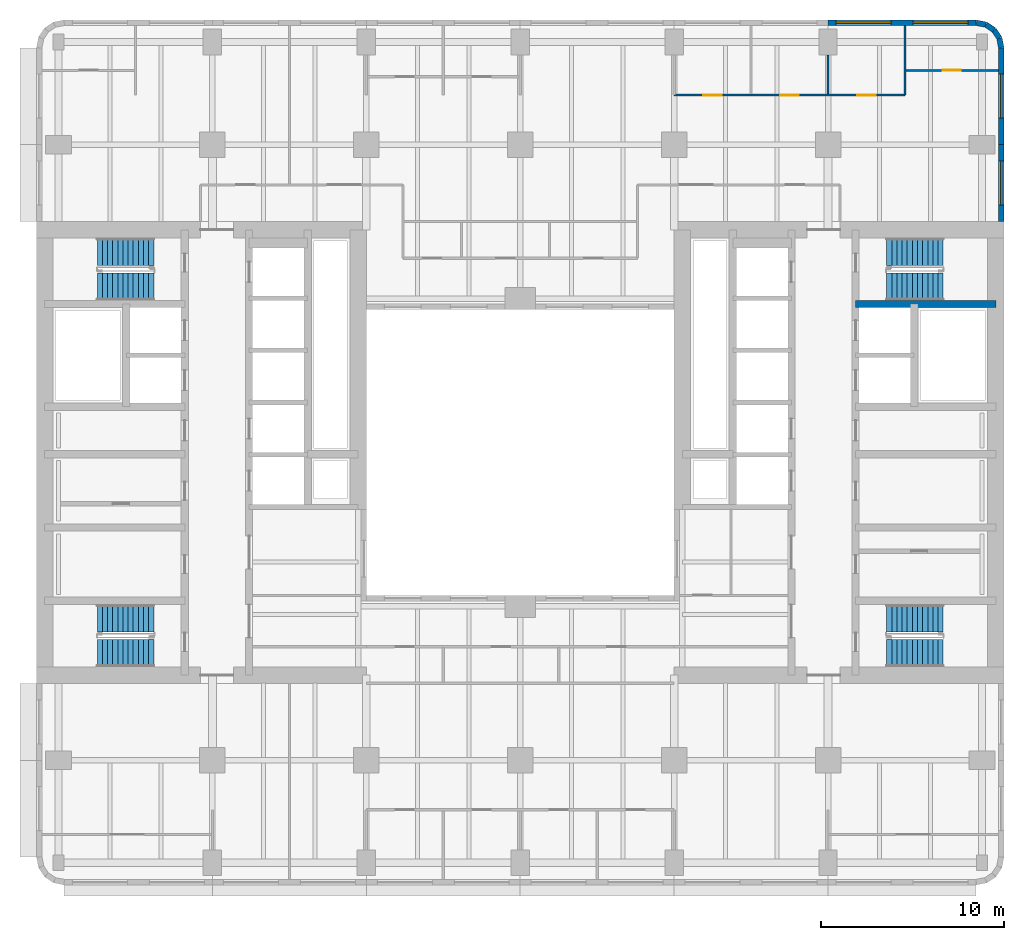
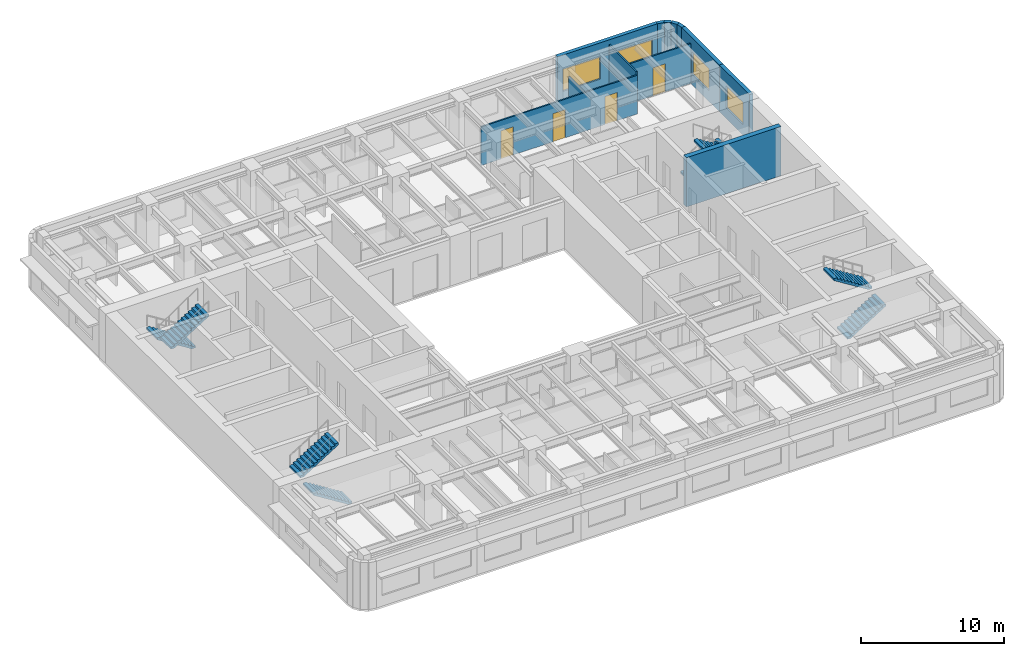
# One storey, part 8 of 11: 12 walls, 8 stair flights, 4 doors, 4 windows, 8 openings, 4 elements without a shape of their own.
"""IFC4 building model written with IfcOpenShell, lengths in metres."""

from ifc_helpers import new_model, si_unit, direction, frame, frame_2d, origin, place, context, subcontext, project, spatial, polyline, rectangle, outline, extrude, material, layer, layer_set, type_object, element, fill, aggregate, save


model = new_model("IFC4")

# Units and contexts
model_context = context("Model", 3, precision=1e-05, world=origin(), true_north=direction((0.0, 1.0)))
body_context = subcontext(model_context, "Body", "Model", "MODEL_VIEW")
ifc_project = project(units=[si_unit("LENGTHUNIT", "METRE"), si_unit("AREAUNIT", "SQUARE_METRE"), si_unit("VOLUMEUNIT", "CUBIC_METRE"), si_unit("PLANEANGLEUNIT", "RADIAN"), si_unit("MASSUNIT", "GRAM", prefix="KILO")], contexts=[model_context])

# Site, building, storey
site_placement = place(None, origin())
site = spatial("IfcSite", under=ifc_project, at=site_placement, CompositionType="ELEMENT")
building_placement = place(site_placement, origin())
building = spatial("IfcBuilding", under=site, at=building_placement, Name="Claustro Exchange Tower", CompositionType="ELEMENT")
storey_placement = place(building_placement, frame((0.0, 0.0, 163.800048828125)))
storey = spatial("IfcBuildingStorey", under=building, at=storey_placement, Name="L37", CompositionType="ELEMENT", Elevation=163.800048828125)

# Wall, opening, door
ifc_material_1 = material(Name="Laminated glass in aluminium frame", Category="aluminium")
ifc_layer_1 = layer(ifc_material_1, 0.1201171875)
ifc_layer_set_1 = layer_set([ifc_layer_1], Name="Laminated glass in aluminium frame")
wall_type_1 = type_object("IfcWallType", Name="P2 120 glazed partition", PredefinedType="PARTITIONING", material=ifc_layer_set_1)
wall_1_placement = place(storey_placement, frame((46.258056640625, 46.050048828125, 0.0), z_axis=(0.0, 0.0, 1.0), x_axis=(1.0, 0.0, 0.0)))
wall_1 = element("IfcWall", 1, at=wall_1_placement, inside=storey, type_object=wall_type_1, Name="Partition P2 L37", PredefinedType="PARTITIONING", context=body_context, shape_type="SweptSolid", body=[
    extrude(rectangle(XDim=5.0439453125, YDim=0.1201171875, at=frame_2d((2.52197265625, 0.0))), origin(), (0.0, 0.0, 1.0), 3.39990234375),
])
opening_1_placement = place(wall_1_placement, frame((1.991943359375, 0.0, 0.0)))
opening_1 = element("IfcOpeningElement", 2, at=opening_1_placement, cuts=wall_1, Name="Opening D7", PredefinedType="OPENING", context=body_context, shape_type="SweptSolid", body=[
    extrude(rectangle(XDim=1.0, YDim=2.39990234375, at=frame_2d((0.5, 1.199951171875))), frame((0.0, 0.070068359375, 0.0), z_axis=(0.0, -1.0, 0.0), x_axis=(1.0, 0.0, 0.0)), (0.0, 0.0, 1.0), 0.14013671875),
])
ifc_material_2 = material(Name="Glass door in aluminium frame", Category="aluminium")
door_type = type_object("IfcDoorType", Name="D7 1000 x 2400 glazed door", OperationType="SINGLE_SWING_LEFT", PredefinedType="DOOR", material=ifc_material_2)
door_1_placement = place(opening_1_placement, origin())
door_1 = element("IfcDoor", 3, at=door_1_placement, inside=storey, type_object=door_type, Name="Door D7 L37", OperationType="SINGLE_SWING_LEFT", OverallHeight=2.39990234375, OverallWidth=1.0, PredefinedType="DOOR", context=body_context, shape_type="SweptSolid", body=[
    extrude(rectangle(XDim=1.0, YDim=2.39990234375, at=frame_2d((0.5, 1.199951171875))), frame((0.0, 0.02490234375, 0.0), z_axis=(0.0, -1.0, 0.0), x_axis=(1.0, 0.0, 0.0)), (0.0, 0.0, 1.0), 0.050048828125),
])
fill(opening_1, door_1)

# Wall, openings, doors
wall_2_placement = place(storey_placement, frame((33.60009765625, 44.699951171875, 0.0), z_axis=(0.0, 0.0, 1.0), x_axis=(1.0, 0.0, 0.0)))
wall_2 = element("IfcWall", 4, at=wall_2_placement, inside=storey, type_object=wall_type_1, Name="Partition P2 L37", PredefinedType="PARTITIONING", context=body_context, shape_type="SweptSolid", body=[
    extrude(rectangle(XDim=12.599853515625, YDim=0.1201171875, at=frame_2d((6.2998046875, 0.0))), origin(), (0.0, 0.0, 1.0), 3.300048828125),
])
opening_2_placement = place(wall_2_placement, frame((1.60009765625, 0.0, 0.0)))
opening_2 = element("IfcOpeningElement", 5, at=opening_2_placement, cuts=wall_2, Name="Opening D7", PredefinedType="OPENING", context=body_context, shape_type="SweptSolid", body=[
    extrude(rectangle(XDim=1.0, YDim=2.39990234375, at=frame_2d((0.5, 1.199951171875))), frame((0.0, 0.070068359375, 0.0), z_axis=(0.0, -1.0, 0.0), x_axis=(1.0, 0.0, 0.0)), (0.0, 0.0, 1.0), 0.14013671875),
])
opening_3_placement = place(wall_2_placement, frame((5.800048828125, 0.0, 0.0)))
opening_3 = element("IfcOpeningElement", 6, at=opening_3_placement, cuts=wall_2, Name="Opening D7", PredefinedType="OPENING", context=body_context, shape_type="SweptSolid", body=[
    extrude(rectangle(XDim=1.0, YDim=2.39990234375, at=frame_2d((0.5, 1.199951171875))), frame((0.0, 0.070068359375, 0.0), z_axis=(0.0, -1.0, 0.0), x_axis=(1.0, 0.0, 0.0)), (0.0, 0.0, 1.0), 0.14013671875),
])
opening_4_placement = place(wall_2_placement, frame((10.0, 0.0, 0.0)))
opening_4 = element("IfcOpeningElement", 7, at=opening_4_placement, cuts=wall_2, Name="Opening D7", PredefinedType="OPENING", context=body_context, shape_type="SweptSolid", body=[
    extrude(rectangle(XDim=1.0, YDim=2.39990234375, at=frame_2d((0.5, 1.199951171875))), frame((0.0, 0.070068359375, 0.0), z_axis=(0.0, -1.0, 0.0), x_axis=(1.0, 0.0, 0.0)), (0.0, 0.0, 1.0), 0.14013671875),
])
door_2_placement = place(opening_2_placement, origin())
door_2 = element("IfcDoor", 8, at=door_2_placement, inside=storey, type_object=door_type, Name="Door D7 L37", OperationType="SINGLE_SWING_RIGHT", OverallHeight=2.39990234375, OverallWidth=1.0, PredefinedType="DOOR", context=body_context, shape_type="SweptSolid", body=[
    extrude(rectangle(XDim=1.0, YDim=2.39990234375, at=frame_2d((0.5, 1.199951171875))), frame((0.0, 0.02490234375, 0.0), z_axis=(0.0, -1.0, 0.0), x_axis=(1.0, 0.0, 0.0)), (0.0, 0.0, 1.0), 0.050048828125),
])
fill(opening_2, door_2)
door_3_placement = place(opening_3_placement, origin())
door_3 = element("IfcDoor", 9, at=door_3_placement, inside=storey, type_object=door_type, Name="Door D7 L37", OperationType="SINGLE_SWING_RIGHT", OverallHeight=2.39990234375, OverallWidth=1.0, PredefinedType="DOOR", context=body_context, shape_type="SweptSolid", body=[
    extrude(rectangle(XDim=1.0, YDim=2.39990234375, at=frame_2d((0.5, 1.199951171875))), frame((0.0, 0.02490234375, 0.0), z_axis=(0.0, -1.0, 0.0), x_axis=(1.0, 0.0, 0.0)), (0.0, 0.0, 1.0), 0.050048828125),
])
fill(opening_3, door_3)
door_4_placement = place(opening_4_placement, origin())
door_4 = element("IfcDoor", 10, at=door_4_placement, inside=storey, type_object=door_type, Name="Door D7 L37", OperationType="SINGLE_SWING_LEFT", OverallHeight=2.39990234375, OverallWidth=1.0, PredefinedType="DOOR", context=body_context, shape_type="SweptSolid", body=[
    extrude(rectangle(XDim=1.0, YDim=2.39990234375, at=frame_2d((0.5, 1.199951171875))), frame((0.0, 0.02490234375, 0.0), z_axis=(0.0, -1.0, 0.0), x_axis=(1.0, 0.0, 0.0)), (0.0, 0.0, 1.0), 0.050048828125),
])
fill(opening_4, door_4)

# Walls
wall_3_placement = place(storey_placement, frame((42.0, 44.758056640625, 0.0), z_axis=(0.0, 0.0, 1.0), x_axis=(0.0, 1.0, 0.0)))
element("IfcWall", 11, at=wall_3_placement, inside=storey, type_object=wall_type_1, Name="Partition P2 L37", PredefinedType="PARTITIONING", context=body_context, shape_type="SweptSolid", body=[
    extrude(rectangle(XDim=2.142822265625, YDim=0.1201171875, at=frame_2d((1.0712890625, 0.0))), origin(), (0.0, 0.0, 1.0), 3.300048828125),
])
wall_4_placement = place(storey_placement, frame((46.199951171875, 44.699951171875, 0.0), z_axis=(0.0, 0.0, 1.0), x_axis=(0.0, 1.0, 0.0)))
element("IfcWall", 12, at=wall_4_placement, inside=storey, type_object=wall_type_1, Name="Partition P2 L37", PredefinedType="PARTITIONING", context=body_context, shape_type="SweptSolid", body=[
    extrude(rectangle(XDim=3.802001953125, YDim=0.1201171875, at=frame_2d((1.90087890625, 0.0))), origin(), (0.0, 0.0, 1.0), 3.593017578125),
])

# Wall, openings, windows
ifc_material_3 = material(Name="Concrete HA-40 (C40/50), precast, white cement, acid-etched", Category="concrete")
ifc_layer_2 = layer(ifc_material_3, 0.300048828125)
ifc_layer_set_2 = layer_set([ifc_layer_2], Name="Concrete HA-40 (C40/50), precast, white cement, acid-etched")
wall_type_2 = type_object("IfcWallType", Name="PC1 300 precast concrete pier panel", PredefinedType="SOLIDWALL", material=ifc_layer_set_2)
wall_5_placement = place(storey_placement, frame((42.0, 48.64990234375, 0.0), z_axis=(0.0, 0.0, 1.0), x_axis=(1.0, 0.0, 0.0)))
wall_5 = element("IfcWall", 13, at=wall_5_placement, inside=storey, type_object=wall_type_2, Name="Precast pier panel PC1 L37", PredefinedType="SOLIDWALL", context=body_context, shape_type="SweptSolid", body=[
    extrude(rectangle(XDim=8.085205078125, YDim=0.300048828125, at=frame_2d((4.04248046875, 0.0))), origin(), (0.0, 0.0, 1.0), 4.0),
])
opening_5_placement = place(wall_5_placement, frame((0.442626953125, 0.0, 0.89990234375)))
opening_5 = element("IfcOpeningElement", 14, at=opening_5_placement, cuts=wall_5, Name="Opening W1", PredefinedType="OPENING", context=body_context, shape_type="SweptSolid", body=[
    extrude(rectangle(XDim=3.0, YDim=1.89990234375, at=frame_2d((1.5, 0.949951171875))), frame((0.0, 0.159912109375, 0.0), z_axis=(0.0, -1.0, 0.0), x_axis=(1.0, 0.0, 0.0)), (0.0, 0.0, 1.0), 0.320068359375),
])
opening_6_placement = place(wall_5_placement, frame((4.642578125, 0.0, 0.89990234375)))
opening_6 = element("IfcOpeningElement", 15, at=opening_6_placement, cuts=wall_5, Name="Opening W1", PredefinedType="OPENING", context=body_context, shape_type="SweptSolid", body=[
    extrude(rectangle(XDim=3.0, YDim=1.89990234375, at=frame_2d((1.5, 0.949951171875))), frame((0.0, 0.159912109375, 0.0), z_axis=(0.0, -1.0, 0.0), x_axis=(1.0, 0.0, 0.0)), (0.0, 0.0, 1.0), 0.320068359375),
])
ifc_material_4 = material(Name="Aluminium frame, clear double glazing", Category="aluminium")
window_type_1 = type_object("IfcWindowType", Name="W1 3000 x 1900 window", PartitioningType="SINGLE_PANEL", PredefinedType="WINDOW", material=ifc_material_4)
window_1_placement = place(opening_5_placement, origin())
window_1 = element("IfcWindow", 16, at=window_1_placement, inside=storey, type_object=window_type_1, Name="Window W1 L37", OverallHeight=1.89990234375, OverallWidth=3.0, PartitioningType="SINGLE_PANEL", PredefinedType="WINDOW", context=body_context, shape_type="SweptSolid", body=[
    extrude(rectangle(XDim=3.0, YDim=1.89990234375, at=frame_2d((1.5, 0.949951171875))), frame((0.0, 0.030029296875, 0.0), z_axis=(0.0, -1.0, 0.0), x_axis=(1.0, 0.0, 0.0)), (0.0, 0.0, 1.0), 0.06005859375),
])
fill(opening_5, window_1)
window_2_placement = place(opening_6_placement, origin())
window_2 = element("IfcWindow", 17, at=window_2_placement, inside=storey, type_object=window_type_1, Name="Window W1 L37", OverallHeight=1.89990234375, OverallWidth=3.0, PartitioningType="SINGLE_PANEL", PredefinedType="WINDOW", context=body_context, shape_type="SweptSolid", body=[
    extrude(rectangle(XDim=3.0, YDim=1.89990234375, at=frame_2d((1.5, 0.949951171875))), frame((0.0, 0.030029296875, 0.0), z_axis=(0.0, -1.0, 0.0), x_axis=(1.0, 0.0, 0.0)), (0.0, 0.0, 1.0), 0.06005859375),
])
fill(opening_6, window_2)

# Walls
wall_6_placement = place(storey_placement, frame((50.085205078125, 48.64990234375, 0.0), z_axis=(0.0, 0.0, 1.0), x_axis=(0.980788534345, -0.195073962632, 0.0)))
element("IfcWall", 18, at=wall_6_placement, inside=storey, type_object=wall_type_2, Name="Precast pier panel PC1 L37", PredefinedType="SOLIDWALL", context=body_context, shape_type="SweptSolid", body=[
    extrude(rectangle(XDim=0.540771484375, YDim=0.300048828125, at=frame_2d((0.2705078125, 0.0))), origin(), (0.0, 0.0, 1.0), 4.0),
])
wall_7_placement = place(storey_placement, frame((50.615478515625, 48.54443359375, 0.0), z_axis=(0.0, 0.0, 1.0), x_axis=(0.831692711774, -0.555236195849, 0.0)))
element("IfcWall", 19, at=wall_7_placement, inside=storey, type_object=wall_type_2, Name="Precast pier panel PC1 L37", PredefinedType="SOLIDWALL", context=body_context, shape_type="SweptSolid", body=[
    extrude(rectangle(XDim=0.525390625, YDim=0.300048828125, at=frame_2d((0.2626953125, 0.0))), origin(), (0.0, 0.0, 1.0), 4.0),
])
wall_8_placement = place(storey_placement, frame((51.052490234375, 48.252685546875, 0.0), z_axis=(0.0, 0.0, 1.0), x_axis=(0.55534295404, -0.831621430339, 0.0)))
element("IfcWall", 20, at=wall_8_placement, inside=storey, type_object=wall_type_2, Name="Precast pier panel PC1 L37", PredefinedType="SOLIDWALL", context=body_context, shape_type="SweptSolid", body=[
    extrude(rectangle(XDim=0.52587890625, YDim=0.300048828125, at=frame_2d((0.262939453125, 0.0))), origin(), (0.0, 0.0, 1.0), 4.0),
])
wall_9_placement = place(storey_placement, frame((51.344482421875, 47.8154296875, 0.0), z_axis=(0.0, 0.0, 1.0), x_axis=(0.195073962632, -0.980788534345, 0.0)))
element("IfcWall", 21, at=wall_9_placement, inside=storey, type_object=wall_type_2, Name="Precast pier panel PC1 L37", PredefinedType="SOLIDWALL", context=body_context, shape_type="SweptSolid", body=[
    extrude(rectangle(XDim=0.540771484375, YDim=0.300048828125, at=frame_2d((0.2705078125, 0.0))), origin(), (0.0, 0.0, 1.0), 4.0),
])

# Wall, opening, window
wall_10_placement = place(storey_placement, frame((51.449951171875, 47.28515625, 0.0), z_axis=(0.0, 0.0, 1.0), x_axis=(0.0, -1.0, 0.0)))
wall_10 = element("IfcWall", 22, at=wall_10_placement, inside=storey, type_object=wall_type_2, Name="Precast pier panel PC1 L37", PredefinedType="SOLIDWALL", context=body_context, shape_type="SweptSolid", body=[
    extrude(rectangle(XDim=5.28515625, YDim=0.300048828125, at=frame_2d((2.642578125, 0.0))), origin(), (0.0, 0.0, 1.0), 4.0),
])
opening_7_placement = place(wall_10_placement, frame((1.442626953125, 0.0, 0.89990234375)))
opening_7 = element("IfcOpeningElement", 23, at=opening_7_placement, cuts=wall_10, Name="Opening W2", PredefinedType="OPENING", context=body_context, shape_type="SweptSolid", body=[
    extrude(rectangle(XDim=2.39990234375, YDim=1.89990234375, at=frame_2d((1.199951171875, 0.949951171875))), frame((0.0, 0.159912109375, 0.0), z_axis=(0.0, -1.0, 0.0), x_axis=(1.0, 0.0, 0.0)), (0.0, 0.0, 1.0), 0.320068359375),
])
ifc_material_5 = material(Name="Aluminium frame, clear double glazing", Category="aluminium")
window_type_2 = type_object("IfcWindowType", Name="W2 2400 x 1900 window", PartitioningType="SINGLE_PANEL", PredefinedType="WINDOW", material=ifc_material_5)
window_3_placement = place(opening_7_placement, origin())
window_3 = element("IfcWindow", 24, at=window_3_placement, inside=storey, type_object=window_type_2, Name="Window W2 L37", OverallHeight=1.89990234375, OverallWidth=2.39990234375, PartitioningType="SINGLE_PANEL", PredefinedType="WINDOW", context=body_context, shape_type="SweptSolid", body=[
    extrude(rectangle(XDim=2.39990234375, YDim=1.89990234375, at=frame_2d((1.199951171875, 0.949951171875))), frame((0.0, 0.030029296875, 0.0), z_axis=(0.0, -1.0, 0.0), x_axis=(1.0, 0.0, 0.0)), (0.0, 0.0, 1.0), 0.06005859375),
])
fill(opening_7, window_3)

wall_11_placement = place(storey_placement, frame((51.449951171875, 42.0, 0.0), z_axis=(0.0, 0.0, 1.0), x_axis=(0.0, -1.0, 0.0)))
wall_11 = element("IfcWall", 25, at=wall_11_placement, inside=storey, type_object=wall_type_2, Name="Precast pier panel PC1 L37", PredefinedType="SOLIDWALL", context=body_context, shape_type="SweptSolid", body=[
    extrude(rectangle(XDim=4.199951171875, YDim=0.300048828125, at=frame_2d((2.10009765625, 0.0))), origin(), (0.0, 0.0, 1.0), 4.0),
])
opening_8_placement = place(wall_11_placement, frame((0.89990234375, 0.0, 0.89990234375)))
opening_8 = element("IfcOpeningElement", 26, at=opening_8_placement, cuts=wall_11, Name="Opening W2", PredefinedType="OPENING", context=body_context, shape_type="SweptSolid", body=[
    extrude(rectangle(XDim=2.39990234375, YDim=1.89990234375, at=frame_2d((1.199951171875, 0.949951171875))), frame((0.0, 0.159912109375, 0.0), z_axis=(0.0, -1.0, 0.0), x_axis=(1.0, 0.0, 0.0)), (0.0, 0.0, 1.0), 0.320068359375),
])
window_4_placement = place(opening_8_placement, origin())
window_4 = element("IfcWindow", 27, at=window_4_placement, inside=storey, type_object=window_type_2, Name="Window W2 L37", OverallHeight=1.89990234375, OverallWidth=2.39990234375, PartitioningType="SINGLE_PANEL", PredefinedType="WINDOW", context=body_context, shape_type="SweptSolid", body=[
    extrude(rectangle(XDim=2.39990234375, YDim=1.89990234375, at=frame_2d((1.199951171875, 0.949951171875))), frame((0.0, 0.030029296875, 0.0), z_axis=(0.0, -1.0, 0.0), x_axis=(1.0, 0.0, 0.0)), (0.0, 0.0, 1.0), 0.06005859375),
])
fill(opening_8, window_4)

# Wall
ifc_material_6 = material(Name="Concrete HA-50 (C50/60)", Category="concrete")
ifc_layer_3 = layer(ifc_material_6, 0.39990234375)
ifc_layer_set_3 = layer_set([ifc_layer_3], Name="Concrete HA-50 (C50/60)")
wall_type_3 = type_object("IfcWallType", Name="SW4 400 internal core wall", PredefinedType="SHEAR", material=ifc_layer_set_3)
wall_12_placement = place(storey_placement, frame((51.14990234375, 33.300048828125, 0.0), z_axis=(0.0, 0.0, 1.0), x_axis=(-1.0, 0.0, 0.0)))
element("IfcWall", 28, at=wall_12_placement, inside=storey, type_object=wall_type_3, Name="Internal core wall SW4 E core L37", PredefinedType="SHEAR", context=body_context, shape_type="SweptSolid", body=[
    extrude(rectangle(XDim=7.64990234375, YDim=0.39990234375, at=frame_2d((3.824951171875, 0.0))), origin(), (0.0, 0.0, 1.0), 4.199951171875),
])

# Stair, stair flights
ifc_material_7 = material(Name="Concrete HA-30 (C30/37), precast", Category="concrete")
stair_type = type_object("IfcStairType", Name="ST1 half-turn stair, 24 risers of 175", PredefinedType="HALF_TURN_STAIR", material=ifc_material_7)
stair_1_placement = place(storey_placement, origin())
stair_1 = element("IfcStair", 29, at=stair_1_placement, inside=storey, type_object=stair_type, Name="Stair STWA L37", PredefinedType="HALF_TURN_STAIR")
ifc_material_8 = material(Name="Concrete HA-30 (C30/37), precast", Category="concrete")
stair_flight_type = type_object("IfcStairFlightType", Name="SF12A straight flight, 12 risers of 175, 1500 wide", PredefinedType="STRAIGHT", material=ifc_material_8)
stair_flight_1_placement = place(storey_placement, frame((5.199951171875, 14.25, 0.0), z_axis=(0.0, 0.0, 1.0), x_axis=(-1.0, 0.0, 0.0)))
stair_flight_1 = element("IfcStairFlight", 30, at=stair_flight_1_placement, type_object=stair_flight_type, Name="STWA flight 1", NumberOfRisers=12, NumberOfTreads=11, PredefinedType="STRAIGHT", RiserHeight=0.175, TreadLength=0.28, context=body_context, shape_type="SweptSolid", body=[
    extrude(outline(polyline([(0.0, 0.0), (0.0, 0.175048828125), (0.280029296875, 0.175048828125), (0.280029296875, 0.35009765625), (0.56005859375, 0.35009765625), (0.56005859375, 0.52490234375), (0.840087890625, 0.52490234375), (0.840087890625, 0.699951171875), (1.1201171875, 0.699951171875), (1.1201171875, 0.875), (1.39990234375, 0.875), (1.39990234375, 1.050048828125), (1.679931640625, 1.050048828125), (1.679931640625, 1.22509765625), (1.9599609375, 1.22509765625), (1.9599609375, 1.39990234375), (2.239990234375, 1.39990234375), (2.239990234375, 1.574951171875), (2.52001953125, 1.574951171875), (2.52001953125, 1.75), (2.800048828125, 1.75), (2.800048828125, 1.925048828125), (3.080078125, 1.925048828125), (3.080078125, 2.10009765625), (3.080078125, 1.748291015625), (0.28271484375, 0.0), (0.0, 0.0)])), frame((0.0, 0.75, 0.0), z_axis=(0.0, -1.0, 0.0), x_axis=(1.0, 0.0, 0.0)), (0.0, 0.0, 1.0), 1.5),
])
stair_flight_2_placement = place(storey_placement, frame((2.1201171875, 16.14990234375, 2.099853515625), z_axis=(0.0, 0.0, 1.0), x_axis=(1.0, 0.0, 0.0)))
stair_flight_2 = element("IfcStairFlight", 31, at=stair_flight_2_placement, type_object=stair_flight_type, Name="STWA flight 2", NumberOfRisers=12, NumberOfTreads=11, PredefinedType="STRAIGHT", RiserHeight=0.175, TreadLength=0.28, context=body_context, shape_type="SweptSolid", body=[
    extrude(outline(polyline([(0.0, 0.0), (0.0, 0.175048828125), (0.280029296875, 0.175048828125), (0.280029296875, 0.35009765625), (0.56005859375, 0.35009765625), (0.56005859375, 0.52490234375), (0.840087890625, 0.52490234375), (0.840087890625, 0.699951171875), (1.1201171875, 0.699951171875), (1.1201171875, 0.875), (1.39990234375, 0.875), (1.39990234375, 1.050048828125), (1.679931640625, 1.050048828125), (1.679931640625, 1.22509765625), (1.9599609375, 1.22509765625), (1.9599609375, 1.39990234375), (2.239990234375, 1.39990234375), (2.239990234375, 1.574951171875), (2.52001953125, 1.574951171875), (2.52001953125, 1.75), (2.800048828125, 1.75), (2.800048828125, 1.925048828125), (3.080078125, 1.925048828125), (3.080078125, 2.10009765625), (3.080078125, 1.748291015625), (0.28271484375, 0.0), (0.0, 0.0)])), frame((0.0, 0.75, 0.0), z_axis=(0.0, -1.0, 0.0), x_axis=(1.0, 0.0, 0.0)), (0.0, 0.0, 1.0), 1.5),
])
aggregate(stair_1, [stair_flight_1, stair_flight_2])

stair_2_placement = place(storey_placement, origin())
stair_2 = element("IfcStair", 32, at=stair_2_placement, inside=storey, type_object=stair_type, Name="Stair STWB L37", PredefinedType="HALF_TURN_STAIR")
stair_flight_3_placement = place(storey_placement, frame((5.199951171875, 36.14990234375, 0.0), z_axis=(0.0, 0.0, 1.0), x_axis=(-1.0, 0.0, 0.0)))
stair_flight_3 = element("IfcStairFlight", 33, at=stair_flight_3_placement, type_object=stair_flight_type, Name="STWB flight 1", NumberOfRisers=12, NumberOfTreads=11, PredefinedType="STRAIGHT", RiserHeight=0.175, TreadLength=0.28, context=body_context, shape_type="SweptSolid", body=[
    extrude(outline(polyline([(0.0, 0.0), (0.0, 0.175048828125), (0.280029296875, 0.175048828125), (0.280029296875, 0.35009765625), (0.56005859375, 0.35009765625), (0.56005859375, 0.52490234375), (0.840087890625, 0.52490234375), (0.840087890625, 0.699951171875), (1.1201171875, 0.699951171875), (1.1201171875, 0.875), (1.39990234375, 0.875), (1.39990234375, 1.050048828125), (1.679931640625, 1.050048828125), (1.679931640625, 1.22509765625), (1.9599609375, 1.22509765625), (1.9599609375, 1.39990234375), (2.239990234375, 1.39990234375), (2.239990234375, 1.574951171875), (2.52001953125, 1.574951171875), (2.52001953125, 1.75), (2.800048828125, 1.75), (2.800048828125, 1.925048828125), (3.080078125, 1.925048828125), (3.080078125, 2.10009765625), (3.080078125, 1.748291015625), (0.28271484375, 0.0), (0.0, 0.0)])), frame((0.0, 0.75, 0.0), z_axis=(0.0, -1.0, 0.0), x_axis=(1.0, 0.0, 0.0)), (0.0, 0.0, 1.0), 1.5),
])
stair_flight_4_placement = place(storey_placement, frame((2.1201171875, 34.25, 2.099853515625), z_axis=(0.0, 0.0, 1.0), x_axis=(1.0, 0.0, 0.0)))
stair_flight_4 = element("IfcStairFlight", 34, at=stair_flight_4_placement, type_object=stair_flight_type, Name="STWB flight 2", NumberOfRisers=12, NumberOfTreads=11, PredefinedType="STRAIGHT", RiserHeight=0.175, TreadLength=0.28, context=body_context, shape_type="SweptSolid", body=[
    extrude(outline(polyline([(0.0, 0.0), (0.0, 0.175048828125), (0.280029296875, 0.175048828125), (0.280029296875, 0.35009765625), (0.56005859375, 0.35009765625), (0.56005859375, 0.52490234375), (0.840087890625, 0.52490234375), (0.840087890625, 0.699951171875), (1.1201171875, 0.699951171875), (1.1201171875, 0.875), (1.39990234375, 0.875), (1.39990234375, 1.050048828125), (1.679931640625, 1.050048828125), (1.679931640625, 1.22509765625), (1.9599609375, 1.22509765625), (1.9599609375, 1.39990234375), (2.239990234375, 1.39990234375), (2.239990234375, 1.574951171875), (2.52001953125, 1.574951171875), (2.52001953125, 1.75), (2.800048828125, 1.75), (2.800048828125, 1.925048828125), (3.080078125, 1.925048828125), (3.080078125, 2.10009765625), (3.080078125, 1.748291015625), (0.28271484375, 0.0), (0.0, 0.0)])), frame((0.0, 0.75, 0.0), z_axis=(0.0, -1.0, 0.0), x_axis=(1.0, 0.0, 0.0)), (0.0, 0.0, 1.0), 1.5),
])
aggregate(stair_2, [stair_flight_3, stair_flight_4])

stair_3_placement = place(storey_placement, origin())
stair_3 = element("IfcStair", 35, at=stair_3_placement, inside=storey, type_object=stair_type, Name="Stair STEA L37", PredefinedType="HALF_TURN_STAIR")
stair_flight_5_placement = place(storey_placement, frame((45.199951171875, 14.25, 0.0), z_axis=(0.0, 0.0, 1.0), x_axis=(1.0, 0.0, 0.0)))
stair_flight_5 = element("IfcStairFlight", 36, at=stair_flight_5_placement, type_object=stair_flight_type, Name="STEA flight 1", NumberOfRisers=12, NumberOfTreads=11, PredefinedType="STRAIGHT", RiserHeight=0.175, TreadLength=0.28, context=body_context, shape_type="SweptSolid", body=[
    extrude(outline(polyline([(0.0, 0.0), (0.0, 0.175048828125), (0.280029296875, 0.175048828125), (0.280029296875, 0.35009765625), (0.56005859375, 0.35009765625), (0.56005859375, 0.52490234375), (0.840087890625, 0.52490234375), (0.840087890625, 0.699951171875), (1.1201171875, 0.699951171875), (1.1201171875, 0.875), (1.39990234375, 0.875), (1.39990234375, 1.050048828125), (1.679931640625, 1.050048828125), (1.679931640625, 1.22509765625), (1.9599609375, 1.22509765625), (1.9599609375, 1.39990234375), (2.239990234375, 1.39990234375), (2.239990234375, 1.574951171875), (2.52001953125, 1.574951171875), (2.52001953125, 1.75), (2.800048828125, 1.75), (2.800048828125, 1.925048828125), (3.080078125, 1.925048828125), (3.080078125, 2.10009765625), (3.080078125, 1.748291015625), (0.28271484375, 0.0), (0.0, 0.0)])), frame((0.0, 0.75, 0.0), z_axis=(0.0, -1.0, 0.0), x_axis=(1.0, 0.0, 0.0)), (0.0, 0.0, 1.0), 1.5),
])
stair_flight_6_placement = place(storey_placement, frame((48.280029296875, 16.14990234375, 2.099853515625), z_axis=(0.0, 0.0, 1.0), x_axis=(-1.0, 0.0, 0.0)))
stair_flight_6 = element("IfcStairFlight", 37, at=stair_flight_6_placement, type_object=stair_flight_type, Name="STEA flight 2", NumberOfRisers=12, NumberOfTreads=11, PredefinedType="STRAIGHT", RiserHeight=0.175, TreadLength=0.28, context=body_context, shape_type="SweptSolid", body=[
    extrude(outline(polyline([(0.0, 0.0), (0.0, 0.175048828125), (0.280029296875, 0.175048828125), (0.280029296875, 0.35009765625), (0.56005859375, 0.35009765625), (0.56005859375, 0.52490234375), (0.840087890625, 0.52490234375), (0.840087890625, 0.699951171875), (1.1201171875, 0.699951171875), (1.1201171875, 0.875), (1.39990234375, 0.875), (1.39990234375, 1.050048828125), (1.679931640625, 1.050048828125), (1.679931640625, 1.22509765625), (1.9599609375, 1.22509765625), (1.9599609375, 1.39990234375), (2.239990234375, 1.39990234375), (2.239990234375, 1.574951171875), (2.52001953125, 1.574951171875), (2.52001953125, 1.75), (2.800048828125, 1.75), (2.800048828125, 1.925048828125), (3.080078125, 1.925048828125), (3.080078125, 2.10009765625), (3.080078125, 1.748291015625), (0.28271484375, 0.0), (0.0, 0.0)])), frame((0.0, 0.75, 0.0), z_axis=(0.0, -1.0, 0.0), x_axis=(1.0, 0.0, 0.0)), (0.0, 0.0, 1.0), 1.5),
])
aggregate(stair_3, [stair_flight_5, stair_flight_6])

stair_4_placement = place(storey_placement, origin())
stair_4 = element("IfcStair", 38, at=stair_4_placement, inside=storey, type_object=stair_type, Name="Stair STEB L37", PredefinedType="HALF_TURN_STAIR")
stair_flight_7_placement = place(storey_placement, frame((45.199951171875, 36.14990234375, 0.0), z_axis=(0.0, 0.0, 1.0), x_axis=(1.0, 0.0, 0.0)))
stair_flight_7 = element("IfcStairFlight", 39, at=stair_flight_7_placement, type_object=stair_flight_type, Name="STEB flight 1", NumberOfRisers=12, NumberOfTreads=11, PredefinedType="STRAIGHT", RiserHeight=0.175, TreadLength=0.28, context=body_context, shape_type="SweptSolid", body=[
    extrude(outline(polyline([(0.0, 0.0), (0.0, 0.175048828125), (0.280029296875, 0.175048828125), (0.280029296875, 0.35009765625), (0.56005859375, 0.35009765625), (0.56005859375, 0.52490234375), (0.840087890625, 0.52490234375), (0.840087890625, 0.699951171875), (1.1201171875, 0.699951171875), (1.1201171875, 0.875), (1.39990234375, 0.875), (1.39990234375, 1.050048828125), (1.679931640625, 1.050048828125), (1.679931640625, 1.22509765625), (1.9599609375, 1.22509765625), (1.9599609375, 1.39990234375), (2.239990234375, 1.39990234375), (2.239990234375, 1.574951171875), (2.52001953125, 1.574951171875), (2.52001953125, 1.75), (2.800048828125, 1.75), (2.800048828125, 1.925048828125), (3.080078125, 1.925048828125), (3.080078125, 2.10009765625), (3.080078125, 1.748291015625), (0.28271484375, 0.0), (0.0, 0.0)])), frame((0.0, 0.75, 0.0), z_axis=(0.0, -1.0, 0.0), x_axis=(1.0, 0.0, 0.0)), (0.0, 0.0, 1.0), 1.5),
])
stair_flight_8_placement = place(storey_placement, frame((48.280029296875, 34.25, 2.099853515625), z_axis=(0.0, 0.0, 1.0), x_axis=(-1.0, 0.0, 0.0)))
stair_flight_8 = element("IfcStairFlight", 40, at=stair_flight_8_placement, type_object=stair_flight_type, Name="STEB flight 2", NumberOfRisers=12, NumberOfTreads=11, PredefinedType="STRAIGHT", RiserHeight=0.175, TreadLength=0.28, context=body_context, shape_type="SweptSolid", body=[
    extrude(outline(polyline([(0.0, 0.0), (0.0, 0.175048828125), (0.280029296875, 0.175048828125), (0.280029296875, 0.35009765625), (0.56005859375, 0.35009765625), (0.56005859375, 0.52490234375), (0.840087890625, 0.52490234375), (0.840087890625, 0.699951171875), (1.1201171875, 0.699951171875), (1.1201171875, 0.875), (1.39990234375, 0.875), (1.39990234375, 1.050048828125), (1.679931640625, 1.050048828125), (1.679931640625, 1.22509765625), (1.9599609375, 1.22509765625), (1.9599609375, 1.39990234375), (2.239990234375, 1.39990234375), (2.239990234375, 1.574951171875), (2.52001953125, 1.574951171875), (2.52001953125, 1.75), (2.800048828125, 1.75), (2.800048828125, 1.925048828125), (3.080078125, 1.925048828125), (3.080078125, 2.10009765625), (3.080078125, 1.748291015625), (0.28271484375, 0.0), (0.0, 0.0)])), frame((0.0, 0.75, 0.0), z_axis=(0.0, -1.0, 0.0), x_axis=(1.0, 0.0, 0.0)), (0.0, 0.0, 1.0), 1.5),
])
aggregate(stair_4, [stair_flight_7, stair_flight_8])

save(model, "model.ifc")
